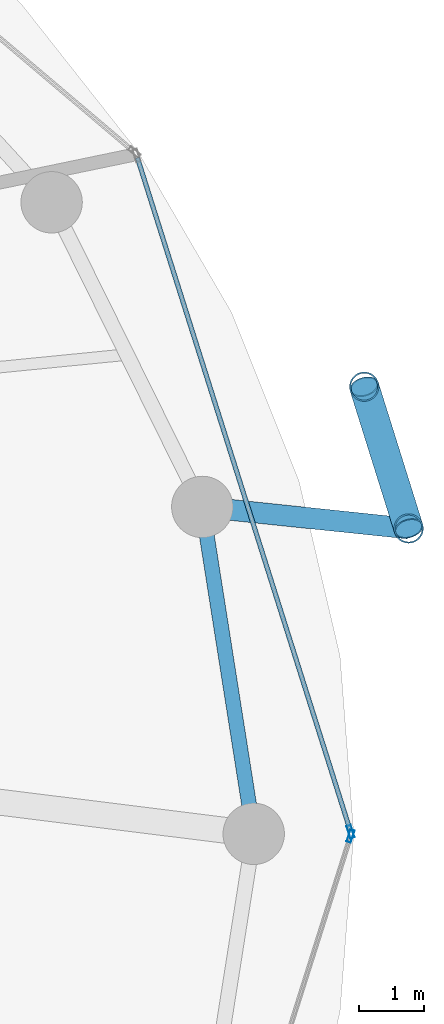
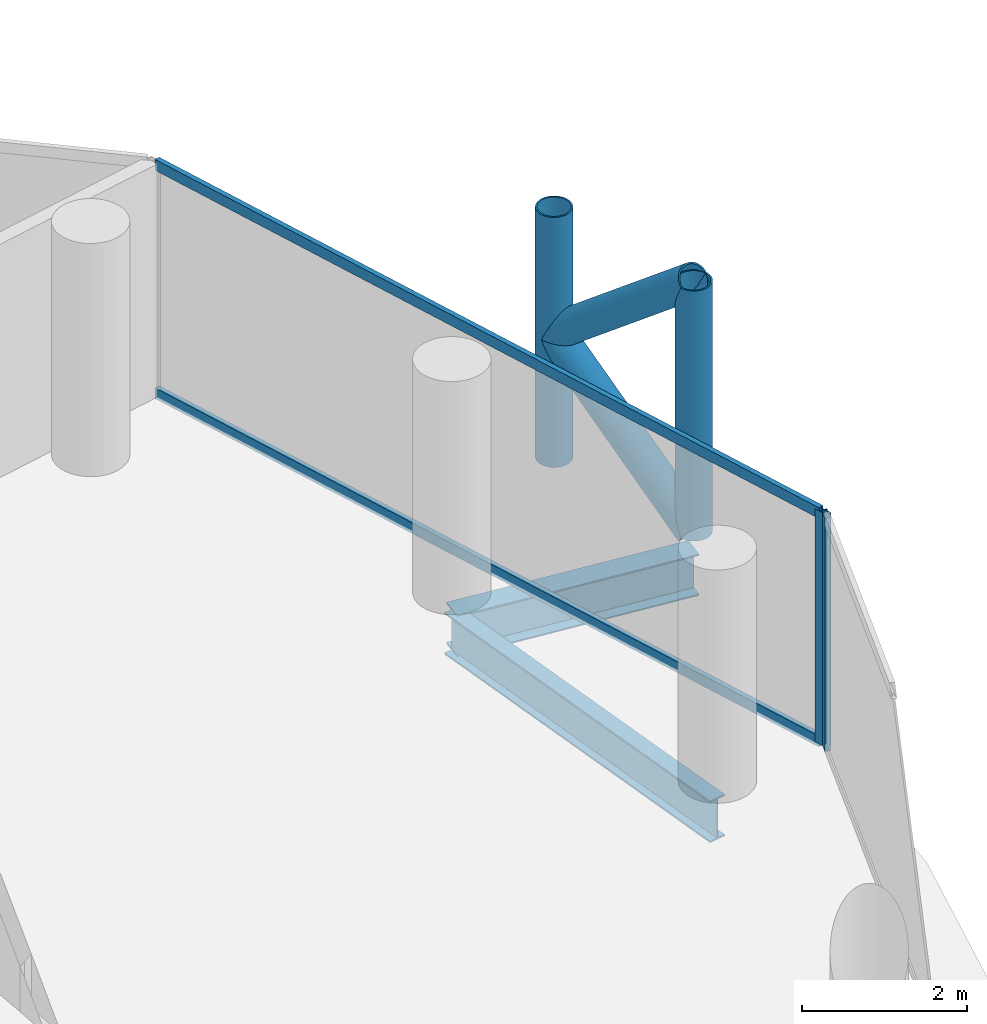
# One storey, part 12 of 26: 8 members, 2 beams, 2 elements without a shape of their own.
"""IFC4 building model written with IfcOpenShell, lengths in metres."""

from ifc_helpers import new_model, si_unit, direction, frame, origin, origin_2d, place, context, subcontext, project, spatial, hollow_rectangle, hollow_circle, i_section, extrude, material, layer, layer_set, material_profile, profile_set, type_object, element, aggregate, save


model = new_model("IFC4")

# Units and contexts
model_context = context("Model", 3, precision=1e-05, world=origin(), true_north=direction((0.0, 1.0)))
body_context = subcontext(model_context, "Body", "Model", "MODEL_VIEW")
ifc_project = project(units=[si_unit("LENGTHUNIT", "METRE"), si_unit("AREAUNIT", "SQUARE_METRE"), si_unit("VOLUMEUNIT", "CUBIC_METRE"), si_unit("PLANEANGLEUNIT", "RADIAN"), si_unit("MASSUNIT", "GRAM", prefix="KILO")], contexts=[model_context])

# Site, building, storey
site_placement = place(None, origin())
site = spatial("IfcSite", under=ifc_project, at=site_placement, CompositionType="ELEMENT")
building_placement = place(site_placement, origin())
building = spatial("IfcBuilding", under=site, at=building_placement, Name="Nuhasar Tower", CompositionType="ELEMENT")
storey_placement = place(building_placement, frame((0.0, 0.0, 147.85009765625)))
storey = spatial("IfcBuildingStorey", under=building, at=storey_placement, Name="L35", CompositionType="ELEMENT", Elevation=147.85009765625)

# Beams
ifc_material_1 = material(Name="Steel S355", Category="steel")
ifc_material_profile_1 = material_profile(ifc_material_1, i_section(OverallWidth=0.22998046875, OverallDepth=0.616943359375, WebThickness=0.01318359375, FlangeThickness=0.022216796875, at=origin_2d()), Name="W24X94")
ifc_profile_set_1 = profile_set([ifc_material_profile_1], Name="Steel S355")
beam_type_1 = type_object("IfcBeamType", Name="BM-RING-W24X94", PredefinedType="SPANDREL", material=ifc_profile_set_1)
beam_1_placement = place(storey_placement, frame((62.35009765625, 26.800048828125, -0.55908203125), z_axis=(-0.155426543608, 0.987847452566, 0.0), x_axis=(-0.987847452566, -0.155426543608, 0.0)))
element("IfcBeam", 1, at=beam_1_placement, inside=storey, type_object=beam_type_1, Name="L35 Perimeter Ring Spandrel 01", PredefinedType="SPANDREL", context=body_context, shape_type="SweptSolid", body=[
    extrude(i_section(OverallWidth=0.22998046875, OverallDepth=0.616943359375, WebThickness=0.01318359375, FlangeThickness=0.022216796875, at=origin_2d()), origin(), (0.0, 0.0, 1.0), 5.122314453125),
])
ifc_material_profile_2 = material_profile(ifc_material_1, i_section(OverallWidth=0.323974609375, OverallDepth=0.611083984375, WebThickness=0.0126953125, FlangeThickness=0.01904296875, at=origin_2d()), Name="W24X104")
ifc_profile_set_2 = profile_set([ifc_material_profile_2], Name="Steel S355")
beam_type_2 = type_object("IfcBeamType", Name="BM-TIE-W24X104", PredefinedType="BEAM", material=ifc_profile_set_2)
beam_2_placement = place(storey_placement, frame((61.553955078125, 31.860107421875, -0.55615234375), z_axis=(0.994569828715, -0.104071397654, 0.0), x_axis=(0.104071397654, 0.994569828715, 0.0)))
element("IfcBeam", 2, at=beam_2_placement, inside=storey, type_object=beam_type_2, Name="L35 Exoskeleton Node Tie Beam 01", PredefinedType="BEAM", context=body_context, shape_type="SweptSolid", body=[
    extrude(i_section(OverallWidth=0.323974609375, OverallDepth=0.611083984375, WebThickness=0.0126953125, FlangeThickness=0.01904296875, at=origin_2d()), origin(), (0.0, 0.0, 1.0), 3.21142578125),
])

# Curtain wall, member
ifc_material_2 = material(Name="Aluminium 6063-T6", Category="aluminium")
ifc_layer = layer(ifc_material_2, 0.199951171875)
ifc_layer_set = layer_set([ifc_layer], Name="Aluminium 6063-T6")
curtain_wall_type = type_object("IfcCurtainWallType", Name="CW-Z2-HTL", PredefinedType="NOTDEFINED", material=ifc_layer_set)
curtain_wall_1_placement = place(storey_placement, origin())
curtain_wall_1 = element("IfcCurtainWall", 3, at=curtain_wall_1_placement, inside=storey, type_object=curtain_wall_type, Name="L35 Unitised Curtain Wall 01", PredefinedType="NOTDEFINED")
ifc_material_profile_3 = material_profile(ifc_material_2, hollow_rectangle(XDim=0.070068359375, YDim=0.199951171875, WallThickness=0.0048828125, at=origin_2d()), Name="CWM-3")
ifc_profile_set_3 = profile_set([ifc_material_profile_3], Name="Aluminium 6063-T6")
member_type_1 = type_object("IfcMemberType", Name="CW-MUL-S3", PredefinedType="MULLION", material=ifc_profile_set_3)
member_1_placement = place(storey_placement, frame((63.849365234375, 26.833251953125, 0.0), z_axis=(0.0, 0.0, 1.0), x_axis=(-0.953433389233, -0.301603667577, 0.0)))
member_1 = element("IfcMember", 4, at=member_1_placement, type_object=member_type_1, Name="CW-Z2 mullion 1", PredefinedType="MULLION", context=body_context, shape_type="SweptSolid", body=[
    extrude(hollow_rectangle(XDim=0.070068359375, YDim=0.199951171875, WallThickness=0.0048828125, at=origin_2d()), origin(), (0.0, 0.0, 1.0), 3.449951171875),
])

curtain_wall_2_placement = place(storey_placement, origin())
curtain_wall_2 = element("IfcCurtainWall", 5, at=curtain_wall_2_placement, inside=storey, type_object=curtain_wall_type, Name="L35 Unitised Curtain Wall 12", PredefinedType="NOTDEFINED")
member_2_placement = place(storey_placement, frame((63.849365234375, 26.7666015625, 0.0), z_axis=(0.0, 0.0, 1.0), x_axis=(-0.953433389233, 0.301603667577, 0.0)))
member_2 = element("IfcMember", 6, at=member_2_placement, type_object=member_type_1, Name="CW-Z2 mullion 2", PredefinedType="MULLION", context=body_context, shape_type="SweptSolid", body=[
    extrude(hollow_rectangle(XDim=0.070068359375, YDim=0.199951171875, WallThickness=0.0048828125, at=origin_2d()), origin(), (0.0, 0.0, 1.0), 3.449951171875),
])
aggregate(curtain_wall_2, [member_2])

# Member
ifc_material_profile_4 = material_profile(ifc_material_2, hollow_rectangle(XDim=0.070068359375, YDim=0.159912109375, WallThickness=0.00439453125, at=origin_2d()), Name="CWT-3")
ifc_profile_set_4 = profile_set([ifc_material_profile_4], Name="Aluminium 6063-T6")
member_type_2 = type_object("IfcMemberType", Name="CW-TRN-S3", PredefinedType="USERDEFINED", material=ifc_profile_set_4)
member_3_placement = place(storey_placement, frame((63.8388671875, 26.86669921875, 0.034912109375), z_axis=(-0.301608163352, 0.953431967053, 0.0), x_axis=(-0.953431967053, -0.301608163352, 0.0)))
member_3 = element("IfcMember", 7, at=member_3_placement, type_object=member_type_2, Name="CW-Z2 transom 1.1", ObjectType="TRANSOM", PredefinedType="USERDEFINED", context=body_context, shape_type="SweptSolid", body=[
    extrude(hollow_rectangle(XDim=0.070068359375, YDim=0.159912109375, WallThickness=0.00439453125, at=origin_2d()), origin(), (0.0, 0.0, 1.0), 10.904296875),
])

member_4_placement = place(storey_placement, frame((63.8388671875, 26.86669921875, 3.414794921875), z_axis=(-0.301608163352, 0.953431967053, 0.0), x_axis=(-0.953431967053, -0.301608163352, 0.0)))
member_4 = element("IfcMember", 8, at=member_4_placement, type_object=member_type_2, Name="CW-Z2 transom 1.2", ObjectType="TRANSOM", PredefinedType="USERDEFINED", context=body_context, shape_type="SweptSolid", body=[
    extrude(hollow_rectangle(XDim=0.070068359375, YDim=0.159912109375, WallThickness=0.00439453125, at=origin_2d()), origin(), (0.0, 0.0, 1.0), 10.904296875),
])

aggregate(curtain_wall_1, [member_1, member_3, member_4])

# Members
ifc_material_3 = material(Name="Steel S460", Category="steel")
ifc_material_profile_5 = material_profile(ifc_material_3, hollow_circle(Radius=0.228515625, WallThickness=0.022216796875, at=origin_2d()), Name="HSS457X22.2")
ifc_profile_set_5 = profile_set([ifc_material_profile_5], Name="Steel S460")
member_type_3 = type_object("IfcMemberType", Name="EXO-BRONZE-457", PredefinedType="BRACE", material=ifc_profile_set_5)
for number, where, z_axis, x_axis, name in (
    (9, (64.748046875, 31.52587890625, 0.0), (0.0, 0.0, 1.0), (1.0, 0.0, 0.0), "L35 Exoskeleton Chord Column EC-01A"),
    (10, (64.06005859375, 33.720947265625, 0.0), (0.0, 0.0, 1.0), (1.0, 0.0, 0.0), "L35 Exoskeleton Chord Column EC-01B"),
):
    element("IfcMember", number, at=place(storey_placement, frame(where, z_axis=z_axis, x_axis=x_axis)), inside=storey, type_object=member_type_3, Name=name, PredefinedType="BRACE", context=body_context, shape_type="SweptSolid", body=[
        extrude(hollow_circle(Radius=0.228515625, WallThickness=0.022216796875, at=origin_2d()), origin(), (0.0, 0.0, 1.0), 3.699951171875),
    ])
member_5_placement = place(storey_placement, frame((64.748046875, 31.52587890625, 0.0), z_axis=(-0.233067628236, 0.74361641074, 0.626669062861), x_axis=(-0.954228474306, -0.29907861646, 0.0)))
element("IfcMember", 11, at=member_5_placement, inside=storey, type_object=member_type_3, Name="L35 Bronze Diagrid Brace W1-01", PredefinedType="BRACE", context=body_context, shape_type="SweptSolid", body=[
    extrude(hollow_circle(Radius=0.228515625, WallThickness=0.022216796875, at=origin_2d()), origin(), (0.0, 0.0, 1.0), 2.951904296875),
])
member_6_placement = place(storey_placement, frame((64.06005859375, 33.720947265625, 1.849853515625), z_axis=(0.233055548538, -0.743577869731, 0.626719285599), x_axis=(0.954228474306, 0.29907861646, 0.0)))
element("IfcMember", 12, at=member_6_placement, inside=storey, type_object=member_type_3, Name="L35 Bronze Diagrid Brace W2-01", PredefinedType="BRACE", context=body_context, shape_type="SweptSolid", body=[
    extrude(hollow_circle(Radius=0.228515625, WallThickness=0.022216796875, at=origin_2d()), origin(), (0.0, 0.0, 1.0), 2.9521484375),
])

save(model, "model.ifc")
